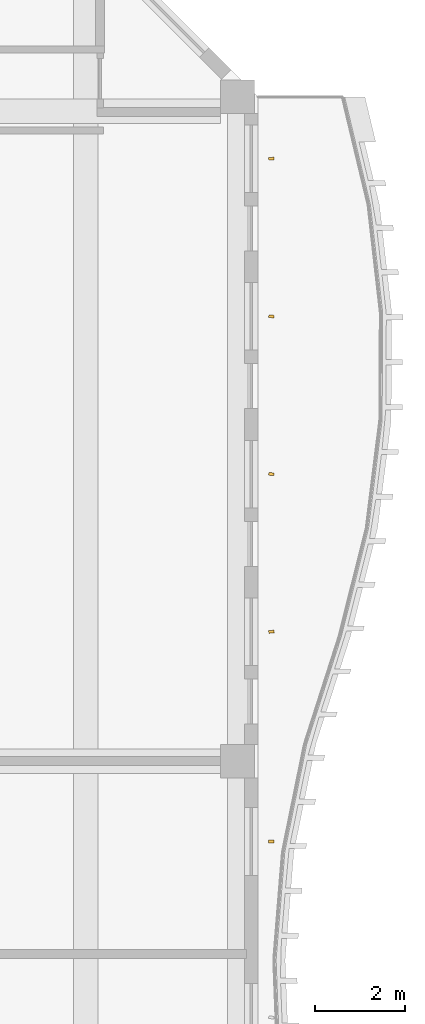
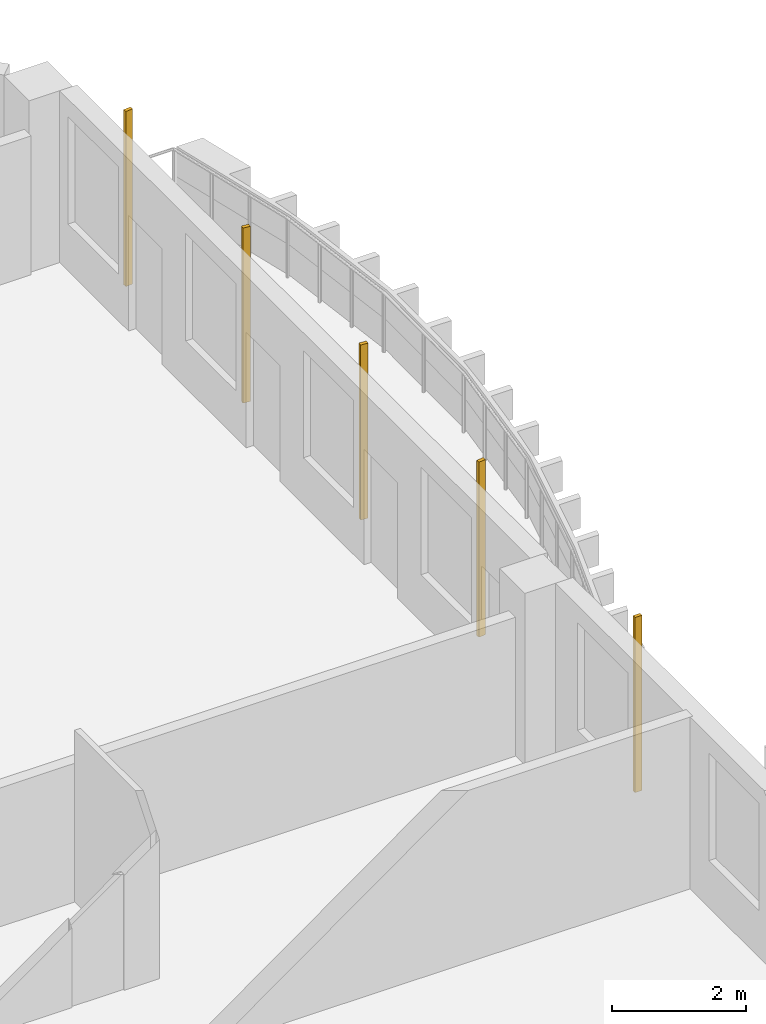
# One storey, part 22 of 22: 5 shading devices.
"""IFC4 building model written with IfcOpenShell, lengths in metres."""

from ifc_helpers import new_model, si_unit, direction, frame, origin, origin_2d, place, context, subcontext, project, spatial, rectangle, extrude, source, transform, mapped, material, material_profile, profile_set, type_object, element, save


model = new_model("IFC4")

# Units and contexts
model_context = context("Model", 3, precision=1e-05, world=origin(), true_north=direction((0.0, 1.0)))
body_context = subcontext(model_context, "Body", "Model", "MODEL_VIEW")
ifc_project = project(units=[si_unit("LENGTHUNIT", "METRE"), si_unit("AREAUNIT", "SQUARE_METRE"), si_unit("VOLUMEUNIT", "CUBIC_METRE"), si_unit("PLANEANGLEUNIT", "RADIAN"), si_unit("MASSUNIT", "GRAM", prefix="KILO")], contexts=[model_context])

# Site, building, storey
site_placement = place(None, origin())
site = spatial("IfcSite", under=ifc_project, at=site_placement, CompositionType="ELEMENT")
building_placement = place(site_placement, origin())
building = spatial("IfcBuilding", under=site, at=building_placement, Name="Kilnfold Tower and Market Hall", CompositionType="ELEMENT")
storey_placement = place(building_placement, frame((0.0, 0.0, 213.5)))
storey = spatial("IfcBuildingStorey", under=building, at=storey_placement, Name="L52", CompositionType="ELEMENT", Elevation=213.5)

# Shading devices
ifc_material = material(Name="Terracotta", Category="masonry")
ifc_material_profile = material_profile(ifc_material, rectangle(XDim=0.06005859375, YDim=0.1201171875, at=origin_2d()), Name="BAG 60x120")
ifc_profile_set = profile_set([ifc_material_profile], Name="Terracotta")
shading_device_type = type_object("IfcShadingDeviceType", Name="BAGUETTE", PredefinedType="USERDEFINED", material=ifc_profile_set)
shared_shape = source(origin(), body_context, "Body", "SweptSolid", [
    extrude(rectangle(XDim=0.06005859375, YDim=0.1201171875, at=origin_2d()), origin(), (0.0, 0.0, 1.0), 3.179931640625),
])
for number, where, z_axis, x_axis, name in (
    (1, (31.550048828125, 6.21875, 0.0), (0.0, 0.0, 1.0), (-0.012923803318, 0.999916484166, 0.0), "Terracotta baguette L52 E"),
    (2, (31.550048828125, 10.875, 0.0), (0.0, 0.0, 1.0), (-0.114066757691, 0.993473087099, 0.0), "Terracotta baguette L52 E"),
    (3, (31.550048828125, 14.375, 0.0), (0.0, 0.0, 1.0), (0.080084103113, 0.996788110096, 0.0), "Terracotta baguette L52 E"),
    (4, (31.550048828125, 17.875, 0.0), (0.0, 0.0, 1.0), (0.114066757691, 0.993473087099, 0.0), "Terracotta baguette L52 E"),
    (5, (31.550048828125, 21.375, 0.0), (0.0, 0.0, 1.0), (-0.080084103113, 0.996788110096, 0.0), "Terracotta baguette L52 E"),
):
    element("IfcShadingDevice", number, at=place(storey_placement, frame(where, z_axis=z_axis, x_axis=x_axis)), inside=storey, type_object=shading_device_type, Name=name, ObjectType="BAGUETTE", PredefinedType="USERDEFINED", context=body_context, shape_type="MappedRepresentation", body=[
        mapped(shared_shape, transform((0.0, 0.0, 0.0))),
    ])

save(model, "model.ifc")
